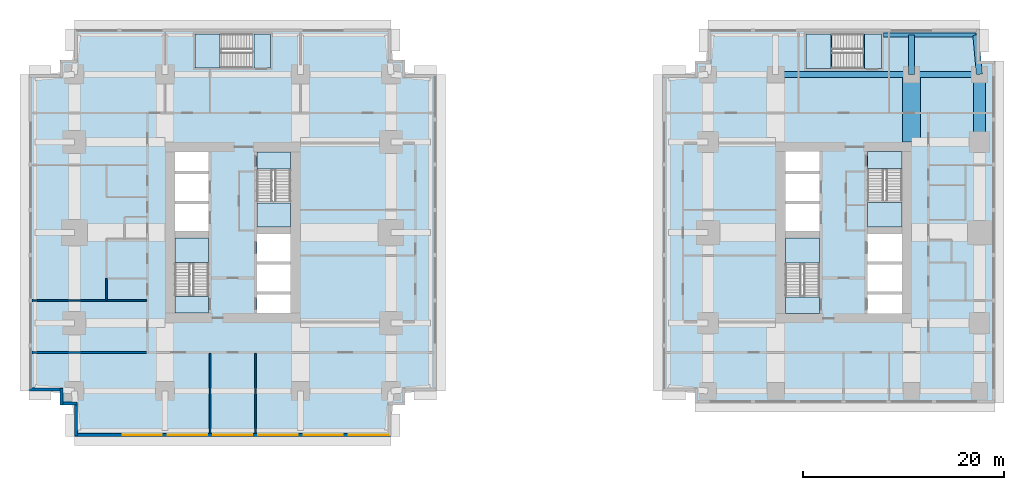
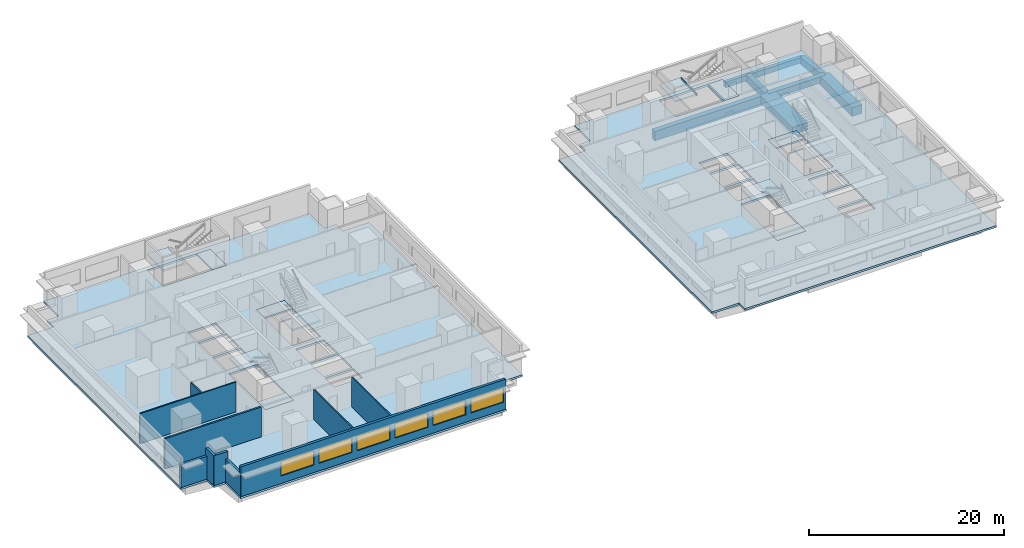
# One storey, part 2 of 11: 14 slabs, 10 walls, 9 beams, 6 windows, 6 openings, 6 elements without a shape of their own.
"""IFC4 building model written with IfcOpenShell, lengths in metres."""

from ifc_helpers import new_model, si_unit, direction, frame, frame_2d, origin, origin_2d, place, context, subcontext, project, spatial, polyline, rectangle, i_section, outline, extrude, material, layer, layer_set, material_profile, profile_set, type_object, element, fill, aggregate, save


model = new_model("IFC4")

# Units and contexts
model_context = context("Model", 3, precision=1e-05, world=origin(), true_north=direction((0.0, 1.0)))
body_context = subcontext(model_context, "Body", "Model", "MODEL_VIEW")
ifc_project = project(units=[si_unit("LENGTHUNIT", "METRE"), si_unit("AREAUNIT", "SQUARE_METRE"), si_unit("VOLUMEUNIT", "CUBIC_METRE"), si_unit("PLANEANGLEUNIT", "RADIAN"), si_unit("MASSUNIT", "GRAM", prefix="KILO")], contexts=[model_context])

# Site, building, storey
site_placement = place(None, origin())
site = spatial("IfcSite", under=ifc_project, at=site_placement, CompositionType="ELEMENT")
building_placement = place(site_placement, origin())
building = spatial("IfcBuilding", under=site, at=building_placement, Name="Namib Vertical Campus", CompositionType="ELEMENT")
storey_placement = place(building_placement, frame((0.0, 0.0, 97.0)))
storey = spatial("IfcBuildingStorey", under=building, at=storey_placement, Name="L22", CompositionType="ELEMENT", Elevation=97.0)

# Beams
ifc_material_1 = material(Name="Concrete C40/50", Category="concrete")
ifc_material_profile_1 = material_profile(ifc_material_1, rectangle(XDim=0.60009765625, YDim=0.89990234375, at=origin_2d()))
ifc_profile_set_1 = profile_set([ifc_material_profile_1], Name="Concrete C40/50")
beam_type_1 = type_object("IfcBeamType", Name="Cantilever girder RC 600x900", PredefinedType="BEAM", material=ifc_profile_set_1)
beam_1_placement = place(storey_placement, frame((87.75, 36.0, -0.699951171875), z_axis=(0.0, 1.0, 0.0), x_axis=(-1.0, 0.0, 0.0)))
element("IfcBeam", 1, at=beam_1_placement, inside=storey, type_object=beam_type_1, Name="Beam B3 L22", PredefinedType="BEAM", context=body_context, shape_type="SweptSolid", body=[
    extrude(rectangle(XDim=0.60009765625, YDim=0.89990234375, at=origin_2d()), origin(), (0.0, 0.0, 1.0), 3.89990234375),
])
beam_2_placement = place(storey_placement, frame((94.5, 36.0, -0.699951171875), z_axis=(-0.089411326146, 0.995994786511, 0.0), x_axis=(-0.995994786511, -0.089411326146, 0.0)))
element("IfcBeam", 2, at=beam_2_placement, inside=storey, type_object=beam_type_1, Name="Beam B3 L22", PredefinedType="BEAM", context=body_context, shape_type="SweptSolid", body=[
    extrude(rectangle(XDim=0.60009765625, YDim=0.89990234375, at=origin_2d()), origin(), (0.0, 0.0, 1.0), 3.91552734375),
])
ifc_material_2 = material(Name="Concrete C40/50", Category="concrete")
ifc_material_profile_2 = material_profile(ifc_material_2, rectangle(XDim=0.39990234375, YDim=0.699951171875, at=origin_2d()))
ifc_profile_set_2 = profile_set([ifc_material_profile_2], Name="Concrete C40/50")
beam_type_2 = type_object("IfcBeamType", Name="Edge beam RC 400x700", PredefinedType="SPANDREL", material=ifc_profile_set_2)
beam_3_placement = place(storey_placement, frame((84.949951171875, 39.89990234375, -0.60009765625), z_axis=(1.0, 0.0, 0.0), x_axis=(0.0, 1.0, 0.0)))
element("IfcBeam", 3, at=beam_3_placement, inside=storey, type_object=beam_type_2, Name="Beam B4 L22", PredefinedType="SPANDREL", context=body_context, shape_type="SweptSolid", body=[
    extrude(rectangle(XDim=0.39990234375, YDim=0.699951171875, at=origin_2d()), origin(), (0.0, 0.0, 1.0), 9.199951171875),
])
ifc_material_3 = material(Name="Concrete C40/50", Category="concrete")
ifc_material_profile_3 = material_profile(ifc_material_3, rectangle(XDim=1.199951171875, YDim=1.10009765625, at=origin_2d()))
ifc_profile_set_3 = profile_set([ifc_material_profile_3], Name="Concrete C40/50")
beam_type_3 = type_object("IfcBeamType", Name="Face ring beam RC 1200x1100", PredefinedType="BEAM", material=ifc_profile_set_3)
beam_4_placement = place(storey_placement, frame((94.5, 29.25, -0.800048828125), z_axis=(0.0, 1.0, 0.0), x_axis=(-1.0, 0.0, 0.0)))
element("IfcBeam", 4, at=beam_4_placement, inside=storey, type_object=beam_type_3, Name="Beam B11 L22", PredefinedType="BEAM", context=body_context, shape_type="SweptSolid", body=[
    extrude(rectangle(XDim=1.199951171875, YDim=1.10009765625, at=origin_2d()), origin(), (0.0, 0.0, 1.0), 6.75),
])
ifc_material_4 = material(Name="Steel S355JR", Category="steel")
ifc_material_profile_4 = material_profile(ifc_material_4, i_section(OverallWidth=0.14599609375, OverallDepth=0.25146484375, WebThickness=0.006103515625, FlangeThickness=0.008544921875, FilletRadius=0.007568359375, at=origin_2d()))
ifc_profile_set_4 = profile_set([ifc_material_profile_4], Name="Steel S355JR")
beam_type_4 = type_object("IfcBeamType", Name="Landing trimmer UB 254x146x31", PredefinedType="BEAM", material=ifc_profile_set_4)
for number, where, z_axis, x_axis, name in (
    (5, (83.02294921875, 36.60009765625, -0.125732421875), (0.0, 1.0, 0.0), (-1.0, 0.0, 0.0), "Landing trimmer LT1 B-S3 L22 1"),
    (6, (79.796875, 36.60009765625, 1.874267578125), (0.0, 1.0, 0.0), (-1.0, 0.0, 0.0), "Landing trimmer LT1 B-S3 L22 2"),
):
    element("IfcBeam", number, at=place(storey_placement, frame(where, z_axis=z_axis, x_axis=x_axis)), inside=storey, type_object=beam_type_4, Name=name, PredefinedType="BEAM", context=body_context, shape_type="SweptSolid", body=[
        extrude(i_section(OverallWidth=0.14599609375, OverallDepth=0.25146484375, WebThickness=0.006103515625, FlangeThickness=0.008544921875, FilletRadius=0.007568359375, at=origin_2d()), origin(), (0.0, 0.0, 1.0), 3.39990234375),
    ])
ifc_material_5 = material(Name="Concrete C40/50", Category="concrete")
ifc_material_profile_5 = material_profile(ifc_material_5, rectangle(XDim=0.60009765625, YDim=1.199951171875, at=origin_2d()))
ifc_profile_set_5 = profile_set([ifc_material_profile_5], Name="Concrete C40/50")
beam_type_5 = type_object("IfcBeamType", Name="Long-span ring beam RC 600x1200", PredefinedType="BEAM", material=ifc_profile_set_5)
beam_5_placement = place(storey_placement, frame((74.25, 36.0, -0.85009765625), z_axis=(1.0, 0.0, 0.0), x_axis=(0.0, 1.0, 0.0)))
element("IfcBeam", 7, at=beam_5_placement, inside=storey, type_object=beam_type_5, Name="Beam B9 L22", PredefinedType="BEAM", context=body_context, shape_type="SweptSolid", body=[
    extrude(rectangle(XDim=0.60009765625, YDim=1.199951171875, at=origin_2d()), origin(), (0.0, 0.0, 1.0), 13.5),
])
ifc_material_6 = material(Name="Concrete C40/50", Category="concrete")
ifc_material_profile_6 = material_profile(ifc_material_6, rectangle(XDim=1.800048828125, YDim=0.89990234375, at=origin_2d()))
ifc_profile_set_6 = profile_set([ifc_material_profile_6], Name="Concrete C40/50")
beam_type_6 = type_object("IfcBeamType", Name="Outrigger line girder RC 1800x900", PredefinedType="BEAM", material=ifc_profile_set_6)
beam_6_placement = place(storey_placement, frame((87.75, 36.0, -0.699951171875), z_axis=(0.0, -1.0, 0.0), x_axis=(1.0, 0.0, 0.0)))
element("IfcBeam", 8, at=beam_6_placement, inside=storey, type_object=beam_type_6, Name="Beam B12 L22", PredefinedType="BEAM", context=body_context, shape_type="SweptSolid", body=[
    extrude(rectangle(XDim=1.800048828125, YDim=0.89990234375, at=origin_2d()), origin(), (0.0, 0.0, 1.0), 6.75),
])
ifc_material_7 = material(Name="Concrete C40/50", Category="concrete")
ifc_material_profile_7 = material_profile(ifc_material_7, rectangle(XDim=0.60009765625, YDim=0.800048828125, at=origin_2d()))
ifc_profile_set_7 = profile_set([ifc_material_profile_7], Name="Concrete C40/50")
beam_type_7 = type_object("IfcBeamType", Name="Ring beam RC 600x800", PredefinedType="BEAM", material=ifc_profile_set_7)
beam_7_placement = place(storey_placement, frame((87.75, 36.0, -0.64990234375), z_axis=(1.0, 0.0, 0.0), x_axis=(0.0, 1.0, 0.0)))
element("IfcBeam", 9, at=beam_7_placement, inside=storey, type_object=beam_type_7, Name="Beam B1 L22", PredefinedType="BEAM", context=body_context, shape_type="SweptSolid", body=[
    extrude(rectangle(XDim=0.60009765625, YDim=0.800048828125, at=origin_2d()), origin(), (0.0, 0.0, 1.0), 6.75),
])

# Slabs
ifc_material_8 = material(Name="Concrete C40/50", Category="concrete")
ifc_layer_1 = layer(ifc_material_8, 0.25)
ifc_layer_set_1 = layer_set([ifc_layer_1], Name="Concrete C40/50")
slab_type_1 = type_object("IfcSlabType", Name="Floor slab 250", PredefinedType="FLOOR", material=ifc_layer_set_1)
slab_1_placement = place(storey_placement, frame((0.0, 0.0, -0.25)))
element("IfcSlab", 10, at=slab_1_placement, inside=storey, type_object=slab_type_1, Name="Floor slab A L22", PredefinedType="FLOOR", context=body_context, shape_type="SweptSolid", body=[
    extrude(outline(polyline([(4.5, 0.0), (36.0, 0.0), (36.0, 3.10009765625), (37.39990234375, 3.10009765625), (37.39990234375, 4.5), (40.5, 4.5), (40.5, 36.0), (37.39990234375, 36.0), (37.39990234375, 37.39990234375), (36.0, 37.39990234375), (36.0, 40.5), (4.5, 40.5), (4.5, 37.39990234375), (3.10009765625, 37.39990234375), (3.10009765625, 36.0), (0.0, 36.0), (0.0, 4.5), (3.10009765625, 4.5), (3.10009765625, 3.10009765625), (4.5, 3.10009765625), (4.5, 0.0)]), holes=[polyline([(14.5, 12.25), (17.85009765625, 12.25), (17.85009765625, 19.699951171875), (14.5, 19.699951171875), (14.5, 12.25)]), polyline([(22.64990234375, 20.800048828125), (26.0, 20.800048828125), (26.0, 28.25), (22.64990234375, 28.25), (22.64990234375, 20.800048828125)]), polyline([(22.64990234375, 12.25), (26.0, 12.25), (26.0, 14.10009765625), (22.64990234375, 14.10009765625), (22.64990234375, 12.25)]), polyline([(14.5, 20.39990234375), (17.85009765625, 20.39990234375), (17.85009765625, 23.10009765625), (14.5, 23.10009765625), (14.5, 20.39990234375)]), polyline([(14.5, 23.39990234375), (17.85009765625, 23.39990234375), (17.85009765625, 26.10009765625), (14.5, 26.10009765625), (14.5, 23.39990234375)]), polyline([(14.5, 26.39990234375), (17.85009765625, 26.39990234375), (17.85009765625, 28.25), (14.5, 28.25), (14.5, 26.39990234375)]), polyline([(22.64990234375, 14.39990234375), (26.0, 14.39990234375), (26.0, 17.10009765625), (22.64990234375, 17.10009765625), (22.64990234375, 14.39990234375)]), polyline([(22.64990234375, 17.39990234375), (26.0, 17.39990234375), (26.0, 20.10009765625), (22.64990234375, 20.10009765625), (22.64990234375, 17.39990234375)]), polyline([(16.5, 36.64990234375), (24.0, 36.64990234375), (24.0, 40.0), (16.5, 40.0), (16.5, 36.64990234375)])]), origin(), (0.0, 0.0, 1.0), 0.25),
])
slab_2_placement = place(storey_placement, frame((0.0, 0.0, -0.25)))
element("IfcSlab", 11, at=slab_2_placement, inside=storey, type_object=slab_type_1, Name="Floor slab B L22", PredefinedType="FLOOR", context=body_context, shape_type="SweptSolid", body=[
    extrude(outline(polyline([(63.0, 4.5), (66.199951171875, 4.5), (66.199951171875, 3.300048828125), (96.050048828125, 3.300048828125), (96.050048828125, 37.300048828125), (94.5, 37.300048828125), (94.5, 40.5), (67.5, 40.5), (67.5, 37.300048828125), (66.199951171875, 37.300048828125), (66.199951171875, 36.0), (63.0, 36.0), (63.0, 4.5)]), holes=[polyline([(75.199951171875, 12.199951171875), (78.60009765625, 12.199951171875), (78.60009765625, 19.699951171875), (75.199951171875, 19.699951171875), (75.199951171875, 12.199951171875)]), polyline([(83.39990234375, 20.800048828125), (86.800048828125, 20.800048828125), (86.800048828125, 28.300048828125), (83.39990234375, 28.300048828125), (83.39990234375, 20.800048828125)]), polyline([(83.39990234375, 12.199951171875), (86.800048828125, 12.199951171875), (86.800048828125, 14.10009765625), (83.39990234375, 14.10009765625), (83.39990234375, 12.199951171875)]), polyline([(75.199951171875, 20.39990234375), (78.60009765625, 20.39990234375), (78.60009765625, 23.10009765625), (75.199951171875, 23.10009765625), (75.199951171875, 20.39990234375)]), polyline([(75.199951171875, 23.39990234375), (78.60009765625, 23.39990234375), (78.60009765625, 26.10009765625), (75.199951171875, 26.10009765625), (75.199951171875, 23.39990234375)]), polyline([(75.199951171875, 26.39990234375), (78.60009765625, 26.39990234375), (78.60009765625, 28.300048828125), (75.199951171875, 28.300048828125), (75.199951171875, 26.39990234375)]), polyline([(83.39990234375, 14.39990234375), (86.800048828125, 14.39990234375), (86.800048828125, 17.10009765625), (83.39990234375, 17.10009765625), (83.39990234375, 14.39990234375)]), polyline([(83.39990234375, 17.39990234375), (86.800048828125, 17.39990234375), (86.800048828125, 20.10009765625), (83.39990234375, 20.10009765625), (83.39990234375, 17.39990234375)]), polyline([(77.25, 36.60009765625), (84.75, 36.60009765625), (84.75, 40.0), (77.25, 40.0), (77.25, 36.60009765625)])]), origin(), (0.0, 0.0, 1.0), 0.25),
])

# Stair, slabs
ifc_material_9 = material(Name="Concrete C40/50 precast", Category="concrete")
stair_type_1 = type_object("IfcStairType", Name="Exit stair 4000 rise 24 risers 3350 wide", PredefinedType="HALF_TURN_STAIR", material=ifc_material_9)
stair_1_placement = place(storey_placement, origin())
stair_1 = element("IfcStair", 12, at=stair_1_placement, inside=storey, type_object=stair_type_1, Name="Exit stair A-S1 L22", PredefinedType="HALF_TURN_STAIR")
ifc_material_10 = material(Name="Concrete C40/50", Category="concrete")
ifc_layer_2 = layer(ifc_material_10, 0.199951171875)
ifc_layer_set_2 = layer_set([ifc_layer_2], Name="Concrete C40/50")
slab_type_2 = type_object("IfcSlabType", Name="Stair landing 200", PredefinedType="LANDING", material=ifc_layer_set_2)
slab_3_placement = place(storey_placement, frame((0.0, 0.0, -0.199951171875)))
slab_3 = element("IfcSlab", 13, at=slab_3_placement, type_object=slab_type_2, Name="A-S1 landing 1", PredefinedType="LANDING", context=body_context, shape_type="SweptSolid", body=[
    extrude(outline(polyline([(14.5, 12.25), (17.85009765625, 12.25), (17.85009765625, 13.90380859375), (14.5, 13.90380859375), (14.5, 12.25)])), origin(), (0.0, 0.0, 1.0), 0.199951171875),
])
slab_4_placement = place(storey_placement, frame((0.0, 0.0, 1.800048828125)))
slab_4 = element("IfcSlab", 14, at=slab_4_placement, type_object=slab_type_2, Name="A-S1 landing 2", PredefinedType="LANDING", context=body_context, shape_type="SweptSolid", body=[
    extrude(outline(polyline([(14.5, 17.276123046875), (17.85009765625, 17.276123046875), (17.85009765625, 19.699951171875), (14.5, 19.699951171875), (14.5, 17.276123046875)])), origin(), (0.0, 0.0, 1.0), 0.199951171875),
])
aggregate(stair_1, [slab_3, slab_4])

stair_2_placement = place(storey_placement, origin())
stair_2 = element("IfcStair", 15, at=stair_2_placement, inside=storey, type_object=stair_type_1, Name="Exit stair A-S2 L22", PredefinedType="HALF_TURN_STAIR")
slab_5_placement = place(storey_placement, frame((0.0, 0.0, -0.199951171875)))
slab_5 = element("IfcSlab", 16, at=slab_5_placement, type_object=slab_type_2, Name="A-S2 landing 1", PredefinedType="LANDING", context=body_context, shape_type="SweptSolid", body=[
    extrude(outline(polyline([(22.64990234375, 26.59619140625), (26.0, 26.59619140625), (26.0, 28.25), (22.64990234375, 28.25), (22.64990234375, 26.59619140625)])), origin(), (0.0, 0.0, 1.0), 0.199951171875),
])
slab_6_placement = place(storey_placement, frame((0.0, 0.0, 1.800048828125)))
slab_6 = element("IfcSlab", 17, at=slab_6_placement, type_object=slab_type_2, Name="A-S2 landing 2", PredefinedType="LANDING", context=body_context, shape_type="SweptSolid", body=[
    extrude(outline(polyline([(22.64990234375, 20.800048828125), (26.0, 20.800048828125), (26.0, 23.223876953125), (22.64990234375, 23.223876953125), (22.64990234375, 20.800048828125)])), origin(), (0.0, 0.0, 1.0), 0.199951171875),
])
aggregate(stair_2, [slab_5, slab_6])

ifc_material_11 = material(Name="Concrete C40/50 precast", Category="concrete")
stair_type_2 = type_object("IfcStairType", Name="Exit stair 4000 rise 24 risers 3400 wide", PredefinedType="HALF_TURN_STAIR", material=ifc_material_11)
stair_3_placement = place(storey_placement, origin())
stair_3 = element("IfcStair", 18, at=stair_3_placement, inside=storey, type_object=stair_type_2, Name="Exit stair B-S1 L22", PredefinedType="HALF_TURN_STAIR")
slab_7_placement = place(storey_placement, frame((0.0, 0.0, -0.199951171875)))
slab_7 = element("IfcSlab", 19, at=slab_7_placement, type_object=slab_type_2, Name="B-S1 landing 1", PredefinedType="LANDING", context=body_context, shape_type="SweptSolid", body=[
    extrude(outline(polyline([(75.199951171875, 12.199951171875), (78.60009765625, 12.199951171875), (78.60009765625, 13.85400390625), (75.199951171875, 13.85400390625), (75.199951171875, 12.199951171875)])), origin(), (0.0, 0.0, 1.0), 0.199951171875),
])
slab_8_placement = place(storey_placement, frame((0.0, 0.0, 1.800048828125)))
slab_8 = element("IfcSlab", 20, at=slab_8_placement, type_object=slab_type_2, Name="B-S1 landing 2", PredefinedType="LANDING", context=body_context, shape_type="SweptSolid", body=[
    extrude(outline(polyline([(75.199951171875, 17.22607421875), (78.60009765625, 17.22607421875), (78.60009765625, 19.699951171875), (75.199951171875, 19.699951171875), (75.199951171875, 17.22607421875)])), origin(), (0.0, 0.0, 1.0), 0.199951171875),
])
aggregate(stair_3, [slab_7, slab_8])

stair_4_placement = place(storey_placement, origin())
stair_4 = element("IfcStair", 21, at=stair_4_placement, inside=storey, type_object=stair_type_2, Name="Exit stair B-S2 L22", PredefinedType="HALF_TURN_STAIR")
slab_9_placement = place(storey_placement, frame((0.0, 0.0, -0.199951171875)))
slab_9 = element("IfcSlab", 22, at=slab_9_placement, type_object=slab_type_2, Name="B-S2 landing 1", PredefinedType="LANDING", context=body_context, shape_type="SweptSolid", body=[
    extrude(outline(polyline([(83.39990234375, 26.64599609375), (86.800048828125, 26.64599609375), (86.800048828125, 28.300048828125), (83.39990234375, 28.300048828125), (83.39990234375, 26.64599609375)])), origin(), (0.0, 0.0, 1.0), 0.199951171875),
])
slab_10_placement = place(storey_placement, frame((0.0, 0.0, 1.800048828125)))
slab_10 = element("IfcSlab", 23, at=slab_10_placement, type_object=slab_type_2, Name="B-S2 landing 2", PredefinedType="LANDING", context=body_context, shape_type="SweptSolid", body=[
    extrude(outline(polyline([(83.39990234375, 20.800048828125), (86.800048828125, 20.800048828125), (86.800048828125, 23.27392578125), (83.39990234375, 23.27392578125), (83.39990234375, 20.800048828125)])), origin(), (0.0, 0.0, 1.0), 0.199951171875),
])
aggregate(stair_4, [slab_9, slab_10])

stair_5_placement = place(storey_placement, origin())
stair_5 = element("IfcStair", 24, at=stair_5_placement, inside=storey, type_object=stair_type_1, Name="Exit stair A-S3 L22", PredefinedType="HALF_TURN_STAIR")
slab_11_placement = place(storey_placement, frame((0.0, 0.0, -0.199951171875)))
slab_11 = element("IfcSlab", 25, at=slab_11_placement, type_object=slab_type_2, Name="A-S3 landing 1", PredefinedType="LANDING", context=body_context, shape_type="SweptSolid", body=[
    extrude(outline(polyline([(22.34619140625, 36.64990234375), (22.34619140625, 40.0), (24.0, 40.0), (24.0, 36.64990234375), (22.34619140625, 36.64990234375)])), origin(), (0.0, 0.0, 1.0), 0.199951171875),
])
slab_12_placement = place(storey_placement, frame((0.0, 0.0, 1.800048828125)))
slab_12 = element("IfcSlab", 26, at=slab_12_placement, type_object=slab_type_2, Name="A-S3 landing 2", PredefinedType="LANDING", context=body_context, shape_type="SweptSolid", body=[
    extrude(outline(polyline([(16.5, 36.64990234375), (16.5, 40.0), (18.973876953125, 40.0), (18.973876953125, 36.64990234375), (16.5, 36.64990234375)])), origin(), (0.0, 0.0, 1.0), 0.199951171875),
])
aggregate(stair_5, [slab_11, slab_12])

stair_6_placement = place(storey_placement, origin())
stair_6 = element("IfcStair", 27, at=stair_6_placement, inside=storey, type_object=stair_type_2, Name="Exit stair B-S3 L22", PredefinedType="HALF_TURN_STAIR")
slab_13_placement = place(storey_placement, frame((0.0, 0.0, -0.199951171875)))
slab_13 = element("IfcSlab", 28, at=slab_13_placement, type_object=slab_type_2, Name="B-S3 landing 1", PredefinedType="LANDING", context=body_context, shape_type="SweptSolid", body=[
    extrude(outline(polyline([(83.09619140625, 36.60009765625), (83.09619140625, 40.0), (84.75, 40.0), (84.75, 36.60009765625), (83.09619140625, 36.60009765625)])), origin(), (0.0, 0.0, 1.0), 0.199951171875),
])
slab_14_placement = place(storey_placement, frame((0.0, 0.0, 1.800048828125)))
slab_14 = element("IfcSlab", 29, at=slab_14_placement, type_object=slab_type_2, Name="B-S3 landing 2", PredefinedType="LANDING", context=body_context, shape_type="SweptSolid", body=[
    extrude(outline(polyline([(77.25, 36.60009765625), (77.25, 40.0), (79.723876953125, 40.0), (79.723876953125, 36.60009765625), (77.25, 36.60009765625)])), origin(), (0.0, 0.0, 1.0), 0.199951171875),
])
aggregate(stair_6, [slab_13, slab_14])

# Wall
ifc_material_12 = material(Name="Concrete masonry", Category="masonry")
ifc_layer_3 = layer(ifc_material_12, 0.199951171875)
ifc_layer_set_3 = layer_set([ifc_layer_3], Name="Corridor wall 200")
wall_type_1 = type_object("IfcWallType", Name="Corridor wall 200", PredefinedType="SOLIDWALL", material=ifc_layer_set_3)
wall_1_placement = place(storey_placement, frame((0.300048828125, 8.35009765625, 0.0), z_axis=(0.0, 0.0, 1.0), x_axis=(1.0, 0.0, 0.0)))
element("IfcWall", 30, at=wall_1_placement, inside=storey, type_object=wall_type_1, Name="Partition A L22 BSW", PredefinedType="SOLIDWALL", context=body_context, shape_type="SweptSolid", body=[
    extrude(rectangle(XDim=11.39990234375, YDim=0.199951171875, at=frame_2d((5.699951171875, 0.0))), origin(), (0.0, 0.0, 1.0), 3.75),
])

# Wall, openings, windows
ifc_material_13 = material(Name="Concrete C40/50", Category="concrete")
ifc_layer_4 = layer(ifc_material_13, 0.300048828125)
ifc_layer_set_4 = layer_set([ifc_layer_4], Name="Concrete C40/50")
wall_type_2 = type_object("IfcWallType", Name="External wall 300 board-marked concrete", PredefinedType="STANDARD", material=ifc_layer_set_4)
wall_2_placement = place(storey_placement, frame((4.52001953125, 0.14990234375, 0.0), z_axis=(0.0, 0.0, 1.0), x_axis=(1.0, 0.0, 0.0)))
wall_2 = element("IfcWall", 31, at=wall_2_placement, inside=storey, type_object=wall_type_2, Name="External wall L22 F01", PredefinedType="STANDARD", context=body_context, shape_type="SweptSolid", body=[
    extrude(rectangle(XDim=31.4599609375, YDim=0.300048828125, at=frame_2d((15.72998046875, 0.0))), origin(), (0.0, 0.0, 1.0), 3.75),
])
opening_1_placement = place(wall_2_placement, frame((4.780029296875, 0.0, 0.949951171875)))
opening_1 = element("IfcOpeningElement", 32, at=opening_1_placement, cuts=wall_2, Name="Opening W3", PredefinedType="OPENING", context=body_context, shape_type="SweptSolid", body=[
    extrude(rectangle(XDim=3.89990234375, YDim=1.800048828125, at=frame_2d((1.949951171875, 0.89990234375))), frame((0.0, 0.159912109375, 0.0), z_axis=(0.0, -1.0, 0.0), x_axis=(1.0, 0.0, 0.0)), (0.0, 0.0, 1.0), 0.320068359375),
])
opening_2_placement = place(wall_2_placement, frame((9.280029296875, 0.0, 0.949951171875)))
opening_2 = element("IfcOpeningElement", 33, at=opening_2_placement, cuts=wall_2, Name="Opening W3", PredefinedType="OPENING", context=body_context, shape_type="SweptSolid", body=[
    extrude(rectangle(XDim=3.89990234375, YDim=1.800048828125, at=frame_2d((1.949951171875, 0.89990234375))), frame((0.0, 0.159912109375, 0.0), z_axis=(0.0, -1.0, 0.0), x_axis=(1.0, 0.0, 0.0)), (0.0, 0.0, 1.0), 0.320068359375),
])
opening_3_placement = place(wall_2_placement, frame((13.780029296875, 0.0, 0.949951171875)))
opening_3 = element("IfcOpeningElement", 34, at=opening_3_placement, cuts=wall_2, Name="Opening W3", PredefinedType="OPENING", context=body_context, shape_type="SweptSolid", body=[
    extrude(rectangle(XDim=3.89990234375, YDim=1.800048828125, at=frame_2d((1.949951171875, 0.89990234375))), frame((0.0, 0.159912109375, 0.0), z_axis=(0.0, -1.0, 0.0), x_axis=(1.0, 0.0, 0.0)), (0.0, 0.0, 1.0), 0.320068359375),
])
opening_4_placement = place(wall_2_placement, frame((18.280029296875, 0.0, 0.949951171875)))
opening_4 = element("IfcOpeningElement", 35, at=opening_4_placement, cuts=wall_2, Name="Opening W3", PredefinedType="OPENING", context=body_context, shape_type="SweptSolid", body=[
    extrude(rectangle(XDim=3.89990234375, YDim=1.800048828125, at=frame_2d((1.949951171875, 0.89990234375))), frame((0.0, 0.159912109375, 0.0), z_axis=(0.0, -1.0, 0.0), x_axis=(1.0, 0.0, 0.0)), (0.0, 0.0, 1.0), 0.320068359375),
])
opening_5_placement = place(wall_2_placement, frame((22.780029296875, 0.0, 0.949951171875)))
opening_5 = element("IfcOpeningElement", 36, at=opening_5_placement, cuts=wall_2, Name="Opening W3", PredefinedType="OPENING", context=body_context, shape_type="SweptSolid", body=[
    extrude(rectangle(XDim=3.89990234375, YDim=1.800048828125, at=frame_2d((1.949951171875, 0.89990234375))), frame((0.0, 0.159912109375, 0.0), z_axis=(0.0, -1.0, 0.0), x_axis=(1.0, 0.0, 0.0)), (0.0, 0.0, 1.0), 0.320068359375),
])
opening_6_placement = place(wall_2_placement, frame((27.280029296875, 0.0, 0.949951171875)))
opening_6 = element("IfcOpeningElement", 37, at=opening_6_placement, cuts=wall_2, Name="Opening W3", PredefinedType="OPENING", context=body_context, shape_type="SweptSolid", body=[
    extrude(rectangle(XDim=3.89990234375, YDim=1.800048828125, at=frame_2d((1.949951171875, 0.89990234375))), frame((0.0, 0.159912109375, 0.0), z_axis=(0.0, -1.0, 0.0), x_axis=(1.0, 0.0, 0.0)), (0.0, 0.0, 1.0), 0.320068359375),
])
ifc_material_14 = material(Name="Dark tinted glass in black aluminium frame", Category="aluminium")
window_type = type_object("IfcWindowType", Name="Ribbon window 3900x1800", PartitioningType="SINGLE_PANEL", PredefinedType="WINDOW", material=ifc_material_14)
window_1_placement = place(opening_1_placement, origin())
window_1 = element("IfcWindow", 38, at=window_1_placement, inside=storey, type_object=window_type, Name="Window W3 L22 F01-2", OverallHeight=1.800048828125, OverallWidth=3.89990234375, PartitioningType="SINGLE_PANEL", PredefinedType="WINDOW", context=body_context, shape_type="SweptSolid", body=[
    extrude(rectangle(XDim=3.89990234375, YDim=1.800048828125, at=frame_2d((1.949951171875, 0.89990234375))), frame((0.0, 0.030029296875, 0.0), z_axis=(0.0, -1.0, 0.0), x_axis=(1.0, 0.0, 0.0)), (0.0, 0.0, 1.0), 0.06005859375),
])
fill(opening_1, window_1)
window_2_placement = place(opening_2_placement, origin())
window_2 = element("IfcWindow", 39, at=window_2_placement, inside=storey, type_object=window_type, Name="Window W3 L22 F01-3", OverallHeight=1.800048828125, OverallWidth=3.89990234375, PartitioningType="SINGLE_PANEL", PredefinedType="WINDOW", context=body_context, shape_type="SweptSolid", body=[
    extrude(rectangle(XDim=3.89990234375, YDim=1.800048828125, at=frame_2d((1.949951171875, 0.89990234375))), frame((0.0, 0.030029296875, 0.0), z_axis=(0.0, -1.0, 0.0), x_axis=(1.0, 0.0, 0.0)), (0.0, 0.0, 1.0), 0.06005859375),
])
fill(opening_2, window_2)
window_3_placement = place(opening_3_placement, origin())
window_3 = element("IfcWindow", 40, at=window_3_placement, inside=storey, type_object=window_type, Name="Window W3 L22 F01-4", OverallHeight=1.800048828125, OverallWidth=3.89990234375, PartitioningType="SINGLE_PANEL", PredefinedType="WINDOW", context=body_context, shape_type="SweptSolid", body=[
    extrude(rectangle(XDim=3.89990234375, YDim=1.800048828125, at=frame_2d((1.949951171875, 0.89990234375))), frame((0.0, 0.030029296875, 0.0), z_axis=(0.0, -1.0, 0.0), x_axis=(1.0, 0.0, 0.0)), (0.0, 0.0, 1.0), 0.06005859375),
])
fill(opening_3, window_3)
window_4_placement = place(opening_4_placement, origin())
window_4 = element("IfcWindow", 41, at=window_4_placement, inside=storey, type_object=window_type, Name="Window W3 L22 F01-5", OverallHeight=1.800048828125, OverallWidth=3.89990234375, PartitioningType="SINGLE_PANEL", PredefinedType="WINDOW", context=body_context, shape_type="SweptSolid", body=[
    extrude(rectangle(XDim=3.89990234375, YDim=1.800048828125, at=frame_2d((1.949951171875, 0.89990234375))), frame((0.0, 0.030029296875, 0.0), z_axis=(0.0, -1.0, 0.0), x_axis=(1.0, 0.0, 0.0)), (0.0, 0.0, 1.0), 0.06005859375),
])
fill(opening_4, window_4)
window_5_placement = place(opening_5_placement, origin())
window_5 = element("IfcWindow", 42, at=window_5_placement, inside=storey, type_object=window_type, Name="Window W3 L22 F01-6", OverallHeight=1.800048828125, OverallWidth=3.89990234375, PartitioningType="SINGLE_PANEL", PredefinedType="WINDOW", context=body_context, shape_type="SweptSolid", body=[
    extrude(rectangle(XDim=3.89990234375, YDim=1.800048828125, at=frame_2d((1.949951171875, 0.89990234375))), frame((0.0, 0.030029296875, 0.0), z_axis=(0.0, -1.0, 0.0), x_axis=(1.0, 0.0, 0.0)), (0.0, 0.0, 1.0), 0.06005859375),
])
fill(opening_5, window_5)
window_6_placement = place(opening_6_placement, origin())
window_6 = element("IfcWindow", 43, at=window_6_placement, inside=storey, type_object=window_type, Name="Window W3 L22 F01-7", OverallHeight=1.800048828125, OverallWidth=3.89990234375, PartitioningType="SINGLE_PANEL", PredefinedType="WINDOW", context=body_context, shape_type="SweptSolid", body=[
    extrude(rectangle(XDim=3.89990234375, YDim=1.800048828125, at=frame_2d((1.949951171875, 0.89990234375))), frame((0.0, 0.030029296875, 0.0), z_axis=(0.0, -1.0, 0.0), x_axis=(1.0, 0.0, 0.0)), (0.0, 0.0, 1.0), 0.06005859375),
])
fill(opening_6, window_6)

# Walls
wall_3_placement = place(storey_placement, frame((0.02001953125, 4.64990234375, 0.0), z_axis=(0.0, 0.0, 1.0), x_axis=(1.0, 0.0, 0.0)))
element("IfcWall", 44, at=wall_3_placement, inside=storey, type_object=wall_type_2, Name="External wall L22 F17", PredefinedType="STANDARD", context=body_context, shape_type="SweptSolid", body=[
    extrude(rectangle(XDim=3.35986328125, YDim=0.300048828125, at=frame_2d((1.679931640625, 0.0))), origin(), (0.0, 0.0, 1.0), 2.85009765625),
])
for number, where, z_axis, x_axis, name in (
    (45, (3.25, 4.780029296875, 0.0), (0.0, 0.0, 1.0), (0.0, -1.0, 0.0), "External wall L22 F18"),
    (46, (3.1201171875, 3.25, 0.0), (0.0, 0.0, 1.0), (1.0, 0.0, 0.0), "External wall L22 F19"),
):
    element("IfcWall", number, at=place(storey_placement, frame(where, z_axis=z_axis, x_axis=x_axis)), inside=storey, type_object=wall_type_2, Name=name, PredefinedType="STANDARD", context=body_context, shape_type="SweptSolid", body=[
        extrude(rectangle(XDim=1.659912109375, YDim=0.300048828125, at=frame_2d((0.830078125, 0.0))), origin(), (0.0, 0.0, 1.0), 3.75),
    ])
wall_4_placement = place(storey_placement, frame((4.64990234375, 3.3798828125, 0.0), z_axis=(0.0, 0.0, 1.0), x_axis=(0.0, -1.0, 0.0)))
element("IfcWall", 47, at=wall_4_placement, inside=storey, type_object=wall_type_2, Name="External wall L22 F20", PredefinedType="STANDARD", context=body_context, shape_type="SweptSolid", body=[
    extrude(rectangle(XDim=3.35986328125, YDim=0.300048828125, at=frame_2d((1.679931640625, 0.0))), origin(), (0.0, 0.0, 1.0), 2.85009765625),
])
ifc_material_15 = material(Name="Gypsum board on steel studs", Category="steel")
ifc_layer_5 = layer(ifc_material_15, 0.14990234375)
ifc_layer_set_5 = layer_set([ifc_layer_5], Name="Gypsum board on steel studs")
wall_type_3 = type_object("IfcWallType", Name="Partition 150", PredefinedType="PARTITIONING", material=ifc_layer_set_5)
for number, where, z_axis, x_axis, name in (
    (48, (18.0, 0.300048828125, 0.0), (0.0, 0.0, 1.0), (0.0, 1.0, 0.0), "Partition A L22 PS1"),
    (49, (22.5, 0.300048828125, 0.0), (0.0, 0.0, 1.0), (0.0, 1.0, 0.0), "Partition A L22 PS2"),
):
    element("IfcWall", number, at=place(storey_placement, frame(where, z_axis=z_axis, x_axis=x_axis)), inside=storey, type_object=wall_type_3, Name=name, PredefinedType="PARTITIONING", context=body_context, shape_type="SweptSolid", body=[
        extrude(rectangle(XDim=7.949951171875, YDim=0.14990234375, at=frame_2d((3.97509765625, 0.0))), origin(), (0.0, 0.0, 1.0), 3.75),
    ])
wall_5_placement = place(storey_placement, frame((0.300048828125, 13.5, 0.0), z_axis=(0.0, 0.0, 1.0), x_axis=(1.0, 0.0, 0.0)))
element("IfcWall", 50, at=wall_5_placement, inside=storey, type_object=wall_type_3, Name="Partition A L22 PW1", PredefinedType="PARTITIONING", context=body_context, shape_type="SweptSolid", body=[
    extrude(rectangle(XDim=11.39990234375, YDim=0.14990234375, at=frame_2d((5.699951171875, 0.0))), origin(), (0.0, 0.0, 1.0), 3.75),
])
wall_6_placement = place(storey_placement, frame((7.699951171875, 13.5, 0.0), z_axis=(0.0, 0.0, 1.0), x_axis=(0.0, 1.0, 0.0)))
element("IfcWall", 51, at=wall_6_placement, inside=storey, type_object=wall_type_3, Name="Partition A L22 WB1", PredefinedType="PARTITIONING", context=body_context, shape_type="SweptSolid", body=[
    extrude(rectangle(XDim=2.199951171875, YDim=0.14990234375, at=frame_2d((1.10009765625, 0.0))), origin(), (0.0, 0.0, 1.0), 3.75),
])

save(model, "model.ifc")
